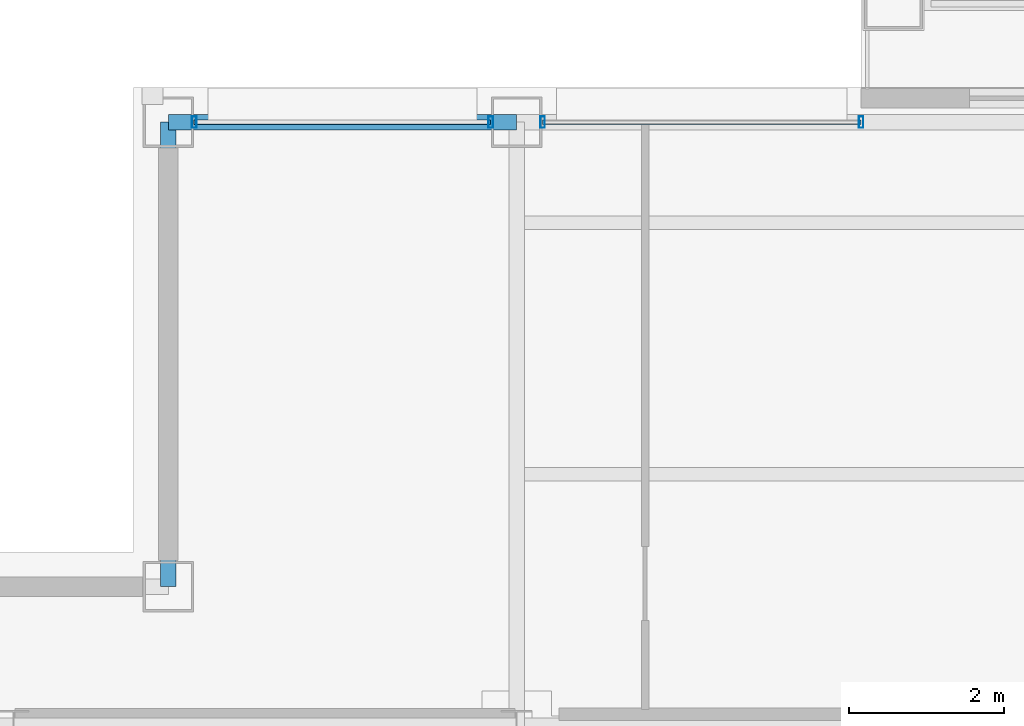
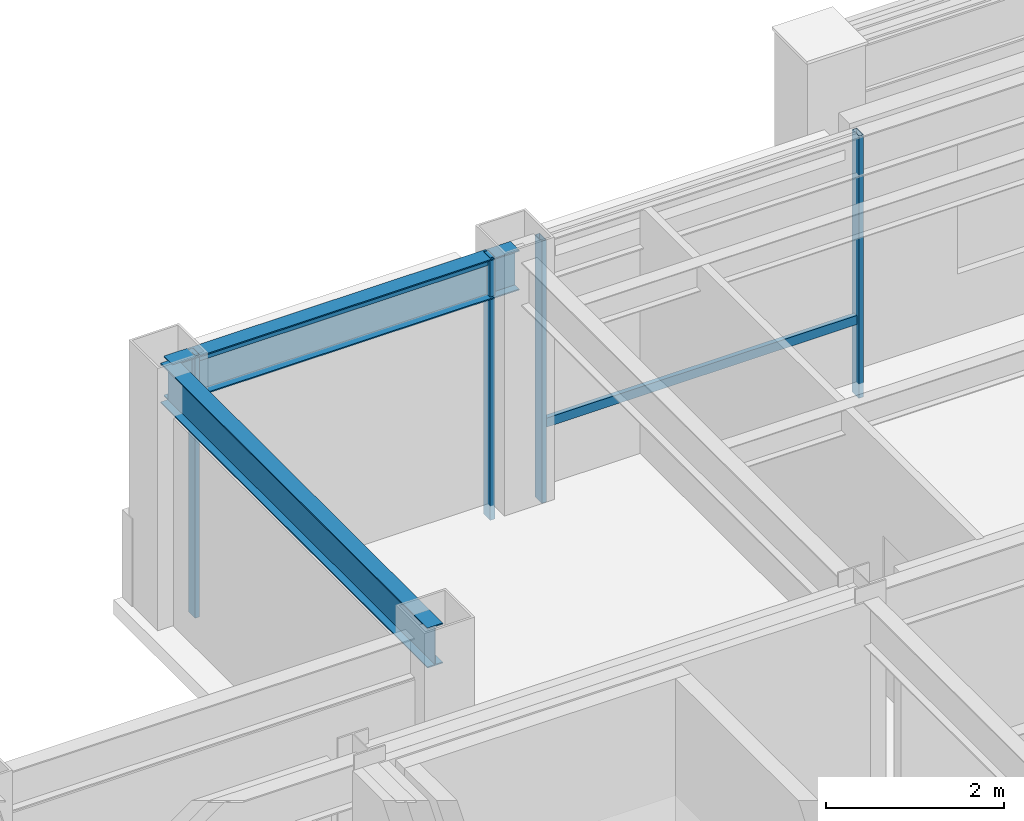
# One storey, part 14 of 24: 6 members, 2 beams, 2 elements without a shape of their own.
"""IFC4 building model written with IfcOpenShell, lengths in metres."""

from ifc_helpers import new_model, si_unit, direction, frame, origin, origin_2d, place, context, subcontext, project, spatial, hollow_rectangle, i_section, extrude, material, layer, layer_set, material_profile, profile_set, type_object, element, aggregate, save


model = new_model("IFC4")

# Units and contexts
model_context = context("Model", 3, precision=1e-05, world=origin(), true_north=direction((0.0, 1.0)))
body_context = subcontext(model_context, "Body", "Model", "MODEL_VIEW")
ifc_project = project(units=[si_unit("LENGTHUNIT", "METRE"), si_unit("AREAUNIT", "SQUARE_METRE"), si_unit("VOLUMEUNIT", "CUBIC_METRE"), si_unit("PLANEANGLEUNIT", "RADIAN"), si_unit("MASSUNIT", "GRAM", prefix="KILO")], contexts=[model_context])

# Site, building, storey
site_placement = place(None, origin())
site = spatial("IfcSite", under=ifc_project, at=site_placement, CompositionType="ELEMENT")
building_placement = place(site_placement, origin())
building = spatial("IfcBuilding", under=site, at=building_placement, Name="Brelmoor Portico Tower", CompositionType="ELEMENT")
storey_placement = place(building_placement, frame((0.0, 0.0, 240.0)))
storey = spatial("IfcBuildingStorey", under=building, at=storey_placement, Name="L63", CompositionType="ELEMENT", Elevation=240.0)

# Beams
ifc_material_1 = material(Name="Steel Q355B", Category="steel")
ifc_material_profile_1 = material_profile(ifc_material_1, i_section(OverallWidth=0.199951171875, OverallDepth=0.550048828125, WebThickness=0.010009765625, FlangeThickness=0.01611328125, at=origin_2d()), Name="HN 550x200x10x16")
ifc_profile_set_1 = profile_set([ifc_material_profile_1], Name="Steel Q355B")
beam_type = type_object("IfcBeamType", Name="BM-SP-550", PredefinedType="SPANDREL", material=ifc_profile_set_1)
beam_1_placement = place(storey_placement, frame((-12.550048828125, 17.550048828125, 3.125), z_axis=(1.0, 0.0, 0.0), x_axis=(0.0, 1.0, 0.0)))
element("IfcBeam", 1, at=beam_1_placement, inside=storey, type_object=beam_type, Name="L63 Perimeter Spandrel Beam SP-08", PredefinedType="SPANDREL", context=body_context, shape_type="SweptSolid", body=[
    extrude(i_section(OverallWidth=0.199951171875, OverallDepth=0.550048828125, WebThickness=0.010009765625, FlangeThickness=0.01611328125, at=origin_2d()), origin(), (0.0, 0.0, 1.0), 4.5),
])
beam_2_placement = place(storey_placement, frame((-12.550048828125, 11.550048828125, 3.125), z_axis=(0.0, 1.0, 0.0), x_axis=(-1.0, 0.0, 0.0)))
element("IfcBeam", 2, at=beam_2_placement, inside=storey, type_object=beam_type, Name="L63 Perimeter Spandrel Beam SP-15", PredefinedType="SPANDREL", context=body_context, shape_type="SweptSolid", body=[
    extrude(i_section(OverallWidth=0.199951171875, OverallDepth=0.550048828125, WebThickness=0.010009765625, FlangeThickness=0.01611328125, at=origin_2d()), origin(), (0.0, 0.0, 1.0), 6.0),
])

# Curtain wall, members
ifc_material_2 = material(Name="Anodised Aluminium Alloy 6063-T6", Category="aluminium")
ifc_layer_1 = layer(ifc_material_2, 0.179931640625)
ifc_layer_set_1 = layer_set([ifc_layer_1], Name="Anodised Aluminium Alloy 6063-T6")
curtain_wall_type_1 = type_object("IfcCurtainWallType", Name="CW-TOWER-Z4-XB", PredefinedType="NOTDEFINED", material=ifc_layer_set_1)
curtain_wall_1_placement = place(storey_placement, origin())
curtain_wall_1 = element("IfcCurtainWall", 3, at=curtain_wall_1_placement, inside=storey, type_object=curtain_wall_type_1, Name="L63 Curtain Wall CW-L63-2L-1", PredefinedType="NOTDEFINED")
ifc_material_profile_2 = material_profile(ifc_material_2, hollow_rectangle(XDim=0.06005859375, YDim=0.14990234375, WallThickness=0.00390625, at=origin_2d()), Name="ALU MULLION 60x150")
ifc_profile_set_2 = profile_set([ifc_material_profile_2], Name="Anodised Aluminium Alloy 6063-T6")
member_type_1 = type_object("IfcMemberType", Name="MB-CW-MULL-150", PredefinedType="MULLION", material=ifc_profile_set_2)
member_1_placement = place(storey_placement, frame((-12.215087890625, 17.550048828125, -0.199951171875), z_axis=(0.0, 0.0, 1.0), x_axis=(1.0, 0.0, 0.0)))
member_1 = element("IfcMember", 4, at=member_1_placement, type_object=member_type_1, Name="CW-L63-2L-1 Mullion 00", PredefinedType="MULLION", context=body_context, shape_type="SweptSolid", body=[
    extrude(hollow_rectangle(XDim=0.06005859375, YDim=0.14990234375, WallThickness=0.00390625, at=origin_2d()), origin(), (0.0, 0.0, 1.0), 3.599853515625),
])
member_2_placement = place(storey_placement, frame((-8.385009765625, 17.550048828125, -0.199951171875), z_axis=(0.0, 0.0, 1.0), x_axis=(1.0, 0.0, 0.0)))
member_2 = element("IfcMember", 5, at=member_2_placement, type_object=member_type_1, Name="CW-L63-2L-1 Mullion 01", PredefinedType="MULLION", context=body_context, shape_type="SweptSolid", body=[
    extrude(hollow_rectangle(XDim=0.06005859375, YDim=0.14990234375, WallThickness=0.00390625, at=origin_2d()), origin(), (0.0, 0.0, 1.0), 3.599853515625),
])

ifc_layer_2 = layer(ifc_material_2, 0.179931640625)
ifc_layer_set_2 = layer_set([ifc_layer_2], Name="Anodised Aluminium Alloy 6063-T6")
curtain_wall_type_2 = type_object("IfcCurtainWallType", Name="CW-TOWER-Z4", PredefinedType="NOTDEFINED", material=ifc_layer_set_2)
curtain_wall_2_placement = place(storey_placement, origin())
curtain_wall_2 = element("IfcCurtainWall", 6, at=curtain_wall_2_placement, inside=storey, type_object=curtain_wall_type_2, Name="L63 Curtain Wall CW-L63-2L-2", PredefinedType="NOTDEFINED")
member_3_placement = place(storey_placement, frame((-7.715087890625, 17.550048828125, -0.199951171875), z_axis=(0.0, 0.0, 1.0), x_axis=(1.0, 0.0, 0.0)))
member_3 = element("IfcMember", 7, at=member_3_placement, type_object=member_type_1, Name="CW-L63-2L-2 Mullion 00", PredefinedType="MULLION", context=body_context, shape_type="SweptSolid", body=[
    extrude(hollow_rectangle(XDim=0.06005859375, YDim=0.14990234375, WallThickness=0.00390625, at=origin_2d()), origin(), (0.0, 0.0, 1.0), 3.599853515625),
])
member_4_placement = place(storey_placement, frame((-3.60009765625, 17.550048828125, -0.199951171875), z_axis=(0.0, 0.0, 1.0), x_axis=(1.0, 0.0, 0.0)))
member_4 = element("IfcMember", 8, at=member_4_placement, type_object=member_type_1, Name="CW-L63-2L-2 Mullion 01", PredefinedType="MULLION", context=body_context, shape_type="SweptSolid", body=[
    extrude(hollow_rectangle(XDim=0.06005859375, YDim=0.14990234375, WallThickness=0.00390625, at=origin_2d()), origin(), (0.0, 0.0, 1.0), 3.599853515625),
])

# Member
ifc_material_profile_3 = material_profile(ifc_material_2, hollow_rectangle(XDim=0.06005859375, YDim=0.125, WallThickness=0.00341796875, at=origin_2d()), Name="ALU TRANSOM 60x125")
ifc_profile_set_3 = profile_set([ifc_material_profile_3], Name="Anodised Aluminium Alloy 6063-T6")
member_type_2 = type_object("IfcMemberType", Name="MB-CW-TRAN-125", PredefinedType="USERDEFINED", material=ifc_profile_set_3)
member_5_placement = place(storey_placement, frame((-12.215087890625, 17.550048828125, 3.33740234375), z_axis=(1.0, 0.0, 0.0), x_axis=(0.0, 1.0, 0.0)))
member_5 = element("IfcMember", 9, at=member_5_placement, type_object=member_type_2, Name="CW-L63-2L-1 Transom 1-00", ObjectType="TRANSOM", PredefinedType="USERDEFINED", context=body_context, shape_type="SweptSolid", body=[
    extrude(hollow_rectangle(XDim=0.06005859375, YDim=0.125, WallThickness=0.00341796875, at=origin_2d()), origin(), (0.0, 0.0, 1.0), 3.830078125),
])

aggregate(curtain_wall_1, [member_1, member_2, member_5])

member_6_placement = place(storey_placement, frame((-7.715087890625, 17.550048828125, 0.85009765625), z_axis=(1.0, 0.0, 0.0), x_axis=(0.0, 1.0, 0.0)))
member_6 = element("IfcMember", 10, at=member_6_placement, type_object=member_type_2, Name="CW-L63-2L-2 Transom 1-00", ObjectType="TRANSOM", PredefinedType="USERDEFINED", context=body_context, shape_type="SweptSolid", body=[
    extrude(hollow_rectangle(XDim=0.06005859375, YDim=0.125, WallThickness=0.00341796875, at=origin_2d()), origin(), (0.0, 0.0, 1.0), 4.114990234375),
])

aggregate(curtain_wall_2, [member_3, member_4, member_6])

save(model, "model.ifc")
